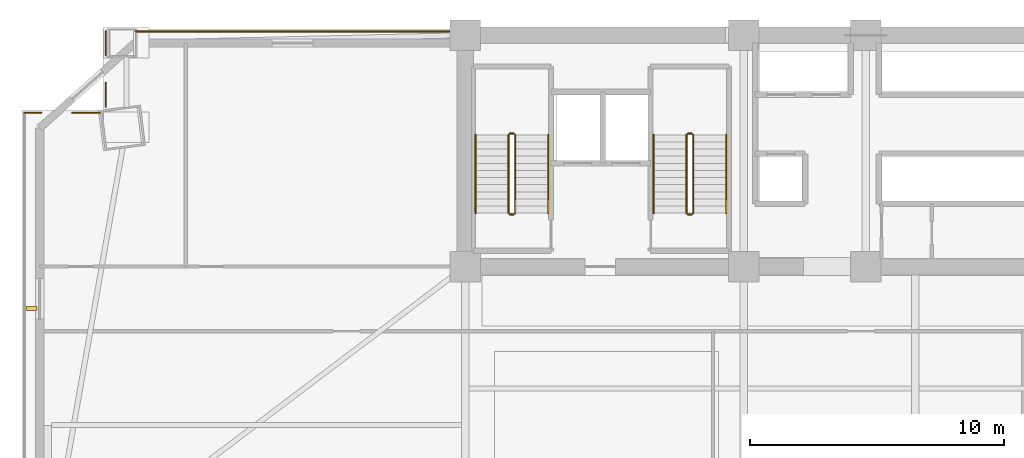
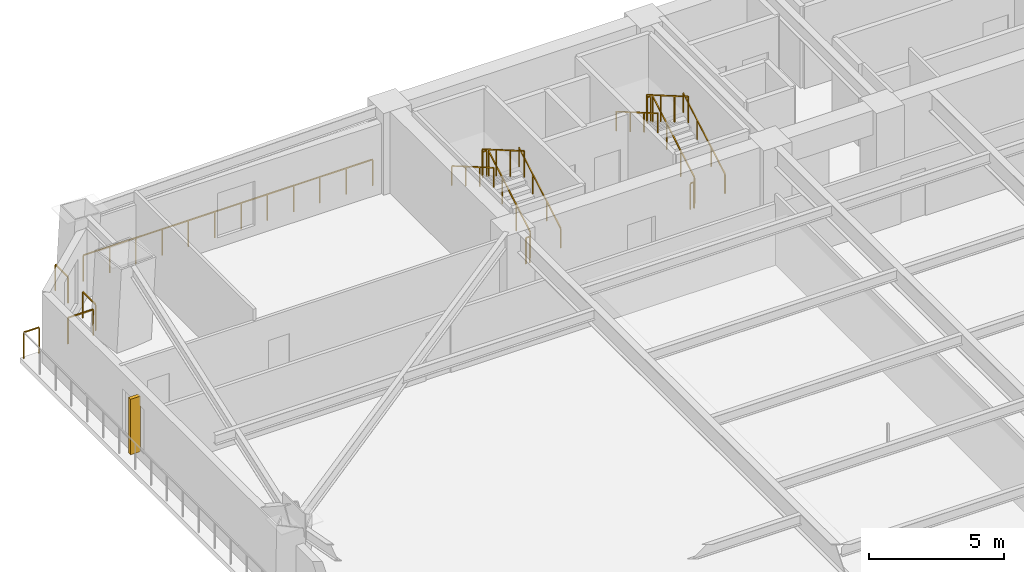
# One storey, part 15 of 17: 17 railings, 1 shading device.
"""IFC4 building model written with IfcOpenShell, lengths in metres."""

from ifc_helpers import new_model, si_unit, direction, frame, origin, origin_2d, place, context, subcontext, project, spatial, rectangle, extrude, source, transform, mapped, material, type_object, element, save


model = new_model("IFC4")

# Units and contexts
model_context = context("Model", 3, precision=1e-05, world=origin(), true_north=direction((0.0, 1.0)))
body_context = subcontext(model_context, "Body", "Model", "MODEL_VIEW")
ifc_project = project(units=[si_unit("LENGTHUNIT", "METRE"), si_unit("AREAUNIT", "SQUARE_METRE"), si_unit("VOLUMEUNIT", "CUBIC_METRE"), si_unit("PLANEANGLEUNIT", "RADIAN"), si_unit("MASSUNIT", "GRAM", prefix="KILO")], contexts=[model_context])

# Site, building, storey
site_placement = place(None, origin())
site = spatial("IfcSite", under=ifc_project, at=site_placement, CompositionType="ELEMENT")
building_placement = place(site_placement, origin())
building = spatial("IfcBuilding", under=site, at=building_placement, Name="Giltprow Tower", CompositionType="ELEMENT")
storey_placement = place(building_placement, frame((0.0, 0.0, 33.199951171875)))
storey = spatial("IfcBuildingStorey", under=building, at=storey_placement, Name="L08", CompositionType="ELEMENT", Elevation=33.199951171875)

# Railings
ifc_material = material(Name="Anodized bronze", Category="metal")
railing_type_1 = type_object("IfcRailingType", Name="RAIL-BALC-GUARD-1200", PredefinedType="BALUSTRADE", material=ifc_material)
railing_1_placement = place(storey_placement, frame((2.5, 43.5, 0.0)))
element("IfcRailing", 1, at=railing_1_placement, inside=storey, type_object=railing_type_1, Name="L08 Corner Apron Edge Balustrade 6", PredefinedType="BALUSTRADE", context=body_context, shape_type="SweptSolid", body=[
    extrude(rectangle(XDim=0.048095703125, YDim=0.048095703125, at=origin_2d()), frame((0.0, 0.0, 1.17578125), z_axis=(1.0, 0.0, 0.0), x_axis=(0.0, 1.0, 0.0)), (0.0, 0.0, 1.0), 0.656005859375),
    extrude(rectangle(XDim=0.0419921875, YDim=0.0419921875, at=origin_2d()), origin(), (0.0, 0.0, 1.0), 1.15185546875),
    extrude(rectangle(XDim=0.0419921875, YDim=0.0419921875, at=origin_2d()), frame((0.656005859375, 0.0, 0.0)), (0.0, 0.0, 1.0), 1.15185546875),
])
railing_2_placement = place(storey_placement, frame((4.386962890625, 43.5, 0.0)))
element("IfcRailing", 2, at=railing_2_placement, inside=storey, type_object=railing_type_1, Name="L08 Corner Apron Edge Balustrade 7", PredefinedType="BALUSTRADE", context=body_context, shape_type="SweptSolid", body=[
    extrude(rectangle(XDim=0.048095703125, YDim=0.048095703125, at=origin_2d()), frame((0.0, 0.0, 1.17578125), z_axis=(1.0, 0.0, 0.0), x_axis=(0.0, 1.0, 0.0)), (0.0, 0.0, 1.0), 1.078125),
    extrude(rectangle(XDim=0.0419921875, YDim=0.0419921875, at=origin_2d()), origin(), (0.0, 0.0, 1.0), 1.15185546875),
    extrude(rectangle(XDim=0.0419921875, YDim=0.0419921875, at=origin_2d()), frame((1.078125, 0.0, 0.0)), (0.0, 0.0, 1.0), 1.15185546875),
])
railing_3_placement = place(storey_placement, frame((5.699951171875, 43.735107421875, 0.0)))
element("IfcRailing", 3, at=railing_3_placement, inside=storey, type_object=railing_type_1, Name="L08 Corner Apron Edge Balustrade 8", PredefinedType="BALUSTRADE", context=body_context, shape_type="SweptSolid", body=[
    extrude(rectangle(XDim=0.048095703125, YDim=0.048095703125, at=origin_2d()), frame((0.0, 0.0, 1.17578125), z_axis=(0.0, 1.0, 0.0), x_axis=(-1.0, 0.0, 0.0)), (0.0, 0.0, 1.0), 0.93798828125),
    extrude(rectangle(XDim=0.0419921875, YDim=0.0419921875, at=origin_2d()), origin(), (0.0, 0.0, 1.0), 1.15185546875),
    extrude(rectangle(XDim=0.0419921875, YDim=0.0419921875, at=origin_2d()), frame((0.0, 0.93798828125, 0.0)), (0.0, 0.0, 1.0), 1.15185546875),
])
railing_4_placement = place(storey_placement, frame((5.699951171875, 45.77197265625, 0.0)))
element("IfcRailing", 4, at=railing_4_placement, inside=storey, type_object=railing_type_1, Name="L08 Corner Apron Edge Balustrade 9", PredefinedType="BALUSTRADE", context=body_context, shape_type="SweptSolid", body=[
    extrude(rectangle(XDim=0.048095703125, YDim=0.048095703125, at=origin_2d()), frame((0.0, 0.0, 1.17578125), z_axis=(0.0, 1.0, 0.0), x_axis=(-1.0, 0.0, 0.0)), (0.0, 0.0, 1.0), 0.927978515625),
    extrude(rectangle(XDim=0.0419921875, YDim=0.0419921875, at=origin_2d()), origin(), (0.0, 0.0, 1.0), 1.15185546875),
    extrude(rectangle(XDim=0.0419921875, YDim=0.0419921875, at=origin_2d()), frame((0.0, 0.927978515625, 0.0)), (0.0, 0.0, 1.0), 1.15185546875),
])
railing_5_placement = place(storey_placement, frame((6.885009765625, 46.699951171875, 0.0)))
element("IfcRailing", 5, at=railing_5_placement, inside=storey, type_object=railing_type_1, Name="L08 Corner Apron Edge Balustrade 10", PredefinedType="BALUSTRADE", context=body_context, shape_type="SweptSolid", body=[
    extrude(rectangle(XDim=0.048095703125, YDim=0.048095703125, at=origin_2d()), frame((0.0, 0.0, 1.17578125), z_axis=(1.0, 0.0, 0.0), x_axis=(0.0, 1.0, 0.0)), (0.0, 0.0, 1.0), 12.330078125),
    extrude(rectangle(XDim=0.0419921875, YDim=0.0419921875, at=origin_2d()), origin(), (0.0, 0.0, 1.0), 1.15185546875),
    extrude(rectangle(XDim=0.0419921875, YDim=0.0419921875, at=origin_2d()), frame((1.120849609375, 0.0, 0.0)), (0.0, 0.0, 1.0), 1.15185546875),
    extrude(rectangle(XDim=0.0419921875, YDim=0.0419921875, at=origin_2d()), frame((2.241943359375, 0.0, 0.0)), (0.0, 0.0, 1.0), 1.15185546875),
    extrude(rectangle(XDim=0.0419921875, YDim=0.0419921875, at=origin_2d()), frame((3.36279296875, 0.0, 0.0)), (0.0, 0.0, 1.0), 1.15185546875),
    extrude(rectangle(XDim=0.0419921875, YDim=0.0419921875, at=origin_2d()), frame((4.483642578125, 0.0, 0.0)), (0.0, 0.0, 1.0), 1.15185546875),
    extrude(rectangle(XDim=0.0419921875, YDim=0.0419921875, at=origin_2d()), frame((5.6044921875, 0.0, 0.0)), (0.0, 0.0, 1.0), 1.15185546875),
    extrude(rectangle(XDim=0.0419921875, YDim=0.0419921875, at=origin_2d()), frame((6.7255859375, 0.0, 0.0)), (0.0, 0.0, 1.0), 1.15185546875),
    extrude(rectangle(XDim=0.0419921875, YDim=0.0419921875, at=origin_2d()), frame((7.846435546875, 0.0, 0.0)), (0.0, 0.0, 1.0), 1.15185546875),
    extrude(rectangle(XDim=0.0419921875, YDim=0.0419921875, at=origin_2d()), frame((8.96728515625, 0.0, 0.0)), (0.0, 0.0, 1.0), 1.15185546875),
    extrude(rectangle(XDim=0.0419921875, YDim=0.0419921875, at=origin_2d()), frame((10.088134765625, 0.0, 0.0)), (0.0, 0.0, 1.0), 1.15185546875),
    extrude(rectangle(XDim=0.0419921875, YDim=0.0419921875, at=origin_2d()), frame((11.209228515625, 0.0, 0.0)), (0.0, 0.0, 1.0), 1.15185546875),
    extrude(rectangle(XDim=0.0419921875, YDim=0.0419921875, at=origin_2d()), frame((12.330078125, 0.0, 0.0)), (0.0, 0.0, 1.0), 1.15185546875),
])
railing_type_2 = type_object("IfcRailingType", Name="RAIL-STAIR-GUARD-1200", PredefinedType="GUARDRAIL", material=ifc_material)
railing_6_placement = place(storey_placement, frame((21.81005859375, 39.550048828125, 0.16259765625)))
element("IfcRailing", 6, at=railing_6_placement, inside=storey, type_object=railing_type_2, Name="L08 ST-1 stair guard 1", PredefinedType="GUARDRAIL", context=body_context, shape_type="SweptSolid", body=[
    extrude(rectangle(XDim=0.048095703125, YDim=0.048095703125, at=origin_2d()), frame((0.0, 0.0, 1.17578125), z_axis=(0.0, 0.864903211148, 0.501938676878), x_axis=(-1.0, 0.0, 0.0)), (0.0, 0.0, 1.0), 3.560791015625),
    extrude(rectangle(XDim=0.0419921875, YDim=0.0419921875, at=origin_2d()), origin(), (0.0, 0.0, 1.0), 1.15185546875),
    extrude(rectangle(XDim=0.0419921875, YDim=0.0419921875, at=origin_2d()), frame((0.0, 1.026611328125, 0.595703125)), (0.0, 0.0, 1.0), 1.15185546875),
    extrude(rectangle(XDim=0.0419921875, YDim=0.0419921875, at=origin_2d()), frame((0.0, 2.05322265625, 1.191650390625)), (0.0, 0.0, 1.0), 1.15185546875),
    extrude(rectangle(XDim=0.0419921875, YDim=0.0419921875, at=origin_2d()), frame((0.0, 3.079833984375, 1.787353515625)), (0.0, 0.0, 1.0), 1.15185546875),
])
railing_7_placement = place(storey_placement, frame((21.760009765625, 42.679931640625, 1.949951171875)))
element("IfcRailing", 7, at=railing_7_placement, inside=storey, type_object=railing_type_2, Name="L08 ST-1 stair guard 2", PredefinedType="GUARDRAIL", context=body_context, shape_type="SweptSolid", body=[
    extrude(rectangle(XDim=0.048095703125, YDim=0.048095703125, at=origin_2d()), frame((0.0, 0.0, 1.17578125), z_axis=(-1.0, 0.0, 0.0), x_axis=(0.0, -1.0, 0.0)), (0.0, 0.0, 1.0), 0.159912109375),
    extrude(rectangle(XDim=0.0419921875, YDim=0.0419921875, at=origin_2d()), origin(), (0.0, 0.0, 1.0), 1.15185546875),
    extrude(rectangle(XDim=0.0419921875, YDim=0.0419921875, at=origin_2d()), frame((-0.159912109375, 0.0, 0.0)), (0.0, 0.0, 1.0), 1.15185546875),
])
railing_8_placement = place(storey_placement, frame((21.550048828125, 42.6298828125, 2.112548828125)))
element("IfcRailing", 8, at=railing_8_placement, inside=storey, type_object=railing_type_2, Name="L08 ST-1 stair guard 3", PredefinedType="GUARDRAIL", context=body_context, shape_type="SweptSolid", body=[
    extrude(rectangle(XDim=0.048095703125, YDim=0.048095703125, at=origin_2d()), frame((0.0, 0.0, 1.17578125), z_axis=(0.0, -0.864873446163, 0.501989962173), x_axis=(1.0, 0.0, 0.0)), (0.0, 0.0, 1.0), 3.56103515625),
    extrude(rectangle(XDim=0.0419921875, YDim=0.0419921875, at=origin_2d()), origin(), (0.0, 0.0, 1.0), 1.15185546875),
    extrude(rectangle(XDim=0.0419921875, YDim=0.0419921875, at=origin_2d()), frame((0.0, -1.026611328125, 0.595947265625)), (0.0, 0.0, 1.0), 1.15185546875),
    extrude(rectangle(XDim=0.0419921875, YDim=0.0419921875, at=origin_2d()), frame((0.0, -2.05322265625, 1.191650390625)), (0.0, 0.0, 1.0), 1.15185546875),
    extrude(rectangle(XDim=0.0419921875, YDim=0.0419921875, at=origin_2d()), frame((0.0, -3.079833984375, 1.78759765625)), (0.0, 0.0, 1.0), 1.15185546875),
])
railing_9_placement = place(storey_placement, frame((21.760009765625, 39.5, 0.0)))
element("IfcRailing", 9, at=railing_9_placement, inside=storey, type_object=railing_type_2, Name="L08 ST-1 stair guard 4", PredefinedType="GUARDRAIL", context=body_context, shape_type="SweptSolid", body=[
    extrude(rectangle(XDim=0.048095703125, YDim=0.048095703125, at=origin_2d()), frame((0.0, 0.0, 1.17578125), z_axis=(-1.0, 0.0, 0.0), x_axis=(0.0, -1.0, 0.0)), (0.0, 0.0, 1.0), 0.159912109375),
    extrude(rectangle(XDim=0.0419921875, YDim=0.0419921875, at=origin_2d()), origin(), (0.0, 0.0, 1.0), 1.15185546875),
    extrude(rectangle(XDim=0.0419921875, YDim=0.0419921875, at=origin_2d()), frame((-0.159912109375, 0.0, 0.0)), (0.0, 0.0, 1.0), 1.15185546875),
])
railing_10_placement = place(storey_placement, frame((28.81005859375, 39.550048828125, 0.16259765625)))
element("IfcRailing", 10, at=railing_10_placement, inside=storey, type_object=railing_type_2, Name="L08 ST-2 stair guard 1", PredefinedType="GUARDRAIL", context=body_context, shape_type="SweptSolid", body=[
    extrude(rectangle(XDim=0.048095703125, YDim=0.048095703125, at=origin_2d()), frame((0.0, 0.0, 1.17578125), z_axis=(0.0, 0.864903211148, 0.501938676878), x_axis=(-1.0, 0.0, 0.0)), (0.0, 0.0, 1.0), 3.560791015625),
    extrude(rectangle(XDim=0.0419921875, YDim=0.0419921875, at=origin_2d()), origin(), (0.0, 0.0, 1.0), 1.15185546875),
    extrude(rectangle(XDim=0.0419921875, YDim=0.0419921875, at=origin_2d()), frame((0.0, 1.026611328125, 0.595703125)), (0.0, 0.0, 1.0), 1.15185546875),
    extrude(rectangle(XDim=0.0419921875, YDim=0.0419921875, at=origin_2d()), frame((0.0, 2.05322265625, 1.191650390625)), (0.0, 0.0, 1.0), 1.15185546875),
    extrude(rectangle(XDim=0.0419921875, YDim=0.0419921875, at=origin_2d()), frame((0.0, 3.079833984375, 1.787353515625)), (0.0, 0.0, 1.0), 1.15185546875),
])
railing_11_placement = place(storey_placement, frame((28.760009765625, 42.679931640625, 1.949951171875)))
element("IfcRailing", 11, at=railing_11_placement, inside=storey, type_object=railing_type_2, Name="L08 ST-2 stair guard 2", PredefinedType="GUARDRAIL", context=body_context, shape_type="SweptSolid", body=[
    extrude(rectangle(XDim=0.048095703125, YDim=0.048095703125, at=origin_2d()), frame((0.0, 0.0, 1.17578125), z_axis=(-1.0, 0.0, 0.0), x_axis=(0.0, -1.0, 0.0)), (0.0, 0.0, 1.0), 0.159912109375),
    extrude(rectangle(XDim=0.0419921875, YDim=0.0419921875, at=origin_2d()), origin(), (0.0, 0.0, 1.0), 1.15185546875),
    extrude(rectangle(XDim=0.0419921875, YDim=0.0419921875, at=origin_2d()), frame((-0.159912109375, 0.0, 0.0)), (0.0, 0.0, 1.0), 1.15185546875),
])
railing_12_placement = place(storey_placement, frame((28.550048828125, 42.6298828125, 2.112548828125)))
element("IfcRailing", 12, at=railing_12_placement, inside=storey, type_object=railing_type_2, Name="L08 ST-2 stair guard 3", PredefinedType="GUARDRAIL", context=body_context, shape_type="SweptSolid", body=[
    extrude(rectangle(XDim=0.048095703125, YDim=0.048095703125, at=origin_2d()), frame((0.0, 0.0, 1.17578125), z_axis=(0.0, -0.864873446163, 0.501989962173), x_axis=(1.0, 0.0, 0.0)), (0.0, 0.0, 1.0), 3.56103515625),
    extrude(rectangle(XDim=0.0419921875, YDim=0.0419921875, at=origin_2d()), origin(), (0.0, 0.0, 1.0), 1.15185546875),
    extrude(rectangle(XDim=0.0419921875, YDim=0.0419921875, at=origin_2d()), frame((0.0, -1.026611328125, 0.595947265625)), (0.0, 0.0, 1.0), 1.15185546875),
    extrude(rectangle(XDim=0.0419921875, YDim=0.0419921875, at=origin_2d()), frame((0.0, -2.05322265625, 1.191650390625)), (0.0, 0.0, 1.0), 1.15185546875),
    extrude(rectangle(XDim=0.0419921875, YDim=0.0419921875, at=origin_2d()), frame((0.0, -3.079833984375, 1.78759765625)), (0.0, 0.0, 1.0), 1.15185546875),
])
railing_13_placement = place(storey_placement, frame((28.760009765625, 39.5, 0.0)))
element("IfcRailing", 13, at=railing_13_placement, inside=storey, type_object=railing_type_2, Name="L08 ST-2 stair guard 4", PredefinedType="GUARDRAIL", context=body_context, shape_type="SweptSolid", body=[
    extrude(rectangle(XDim=0.048095703125, YDim=0.048095703125, at=origin_2d()), frame((0.0, 0.0, 1.17578125), z_axis=(-1.0, 0.0, 0.0), x_axis=(0.0, -1.0, 0.0)), (0.0, 0.0, 1.0), 0.159912109375),
    extrude(rectangle(XDim=0.0419921875, YDim=0.0419921875, at=origin_2d()), origin(), (0.0, 0.0, 1.0), 1.15185546875),
    extrude(rectangle(XDim=0.0419921875, YDim=0.0419921875, at=origin_2d()), frame((-0.159912109375, 0.0, 0.0)), (0.0, 0.0, 1.0), 1.15185546875),
])
railing_type_3 = type_object("IfcRailingType", Name="RAIL-STAIR-HAND-900", PredefinedType="HANDRAIL", material=ifc_material)
railing_14_placement = place(storey_placement, frame((23.110107421875, 39.550048828125, 0.16259765625)))
element("IfcRailing", 14, at=railing_14_placement, inside=storey, type_object=railing_type_3, Name="L08 ST-1 stair handrail 1", PredefinedType="HANDRAIL", context=body_context, shape_type="SweptSolid", body=[
    extrude(rectangle(XDim=0.048095703125, YDim=0.048095703125, at=origin_2d()), frame((0.0, 0.0, 0.8759765625), z_axis=(0.0, 0.864903211148, 0.501938676878), x_axis=(-1.0, 0.0, 0.0)), (0.0, 0.0, 1.0), 3.560791015625),
    extrude(rectangle(XDim=0.0419921875, YDim=0.0419921875, at=origin_2d()), origin(), (0.0, 0.0, 1.0), 0.851806640625),
    extrude(rectangle(XDim=0.0419921875, YDim=0.0419921875, at=origin_2d()), frame((0.0, 1.026611328125, 0.595703125)), (0.0, 0.0, 1.0), 0.851806640625),
    extrude(rectangle(XDim=0.0419921875, YDim=0.0419921875, at=origin_2d()), frame((0.0, 2.05322265625, 1.191650390625)), (0.0, 0.0, 1.0), 0.851806640625),
    extrude(rectangle(XDim=0.0419921875, YDim=0.0419921875, at=origin_2d()), frame((0.0, 3.079833984375, 1.787353515625)), (0.0, 0.0, 1.0), 0.851806640625),
])
railing_15_placement = place(storey_placement, frame((20.25, 42.6298828125, 2.112548828125)))
element("IfcRailing", 15, at=railing_15_placement, inside=storey, type_object=railing_type_3, Name="L08 ST-1 stair handrail 2", PredefinedType="HANDRAIL", context=body_context, shape_type="SweptSolid", body=[
    extrude(rectangle(XDim=0.048095703125, YDim=0.048095703125, at=origin_2d()), frame((0.0, 0.0, 0.8759765625), z_axis=(0.0, -0.864873446163, 0.501989962173), x_axis=(1.0, 0.0, 0.0)), (0.0, 0.0, 1.0), 3.56103515625),
    extrude(rectangle(XDim=0.0419921875, YDim=0.0419921875, at=origin_2d()), origin(), (0.0, 0.0, 1.0), 0.851806640625),
    extrude(rectangle(XDim=0.0419921875, YDim=0.0419921875, at=origin_2d()), frame((0.0, -1.026611328125, 0.595947265625)), (0.0, 0.0, 1.0), 0.851806640625),
    extrude(rectangle(XDim=0.0419921875, YDim=0.0419921875, at=origin_2d()), frame((0.0, -2.05322265625, 1.191650390625)), (0.0, 0.0, 1.0), 0.851806640625),
    extrude(rectangle(XDim=0.0419921875, YDim=0.0419921875, at=origin_2d()), frame((0.0, -3.079833984375, 1.78759765625)), (0.0, 0.0, 1.0), 0.851806640625),
])
railing_16_placement = place(storey_placement, frame((30.110107421875, 39.550048828125, 0.16259765625)))
element("IfcRailing", 16, at=railing_16_placement, inside=storey, type_object=railing_type_3, Name="L08 ST-2 stair handrail 1", PredefinedType="HANDRAIL", context=body_context, shape_type="SweptSolid", body=[
    extrude(rectangle(XDim=0.048095703125, YDim=0.048095703125, at=origin_2d()), frame((0.0, 0.0, 0.8759765625), z_axis=(0.0, 0.864903211148, 0.501938676878), x_axis=(-1.0, 0.0, 0.0)), (0.0, 0.0, 1.0), 3.560791015625),
    extrude(rectangle(XDim=0.0419921875, YDim=0.0419921875, at=origin_2d()), origin(), (0.0, 0.0, 1.0), 0.851806640625),
    extrude(rectangle(XDim=0.0419921875, YDim=0.0419921875, at=origin_2d()), frame((0.0, 1.026611328125, 0.595703125)), (0.0, 0.0, 1.0), 0.851806640625),
    extrude(rectangle(XDim=0.0419921875, YDim=0.0419921875, at=origin_2d()), frame((0.0, 2.05322265625, 1.191650390625)), (0.0, 0.0, 1.0), 0.851806640625),
    extrude(rectangle(XDim=0.0419921875, YDim=0.0419921875, at=origin_2d()), frame((0.0, 3.079833984375, 1.787353515625)), (0.0, 0.0, 1.0), 0.851806640625),
])
railing_17_placement = place(storey_placement, frame((27.25, 42.6298828125, 2.112548828125)))
element("IfcRailing", 17, at=railing_17_placement, inside=storey, type_object=railing_type_3, Name="L08 ST-2 stair handrail 2", PredefinedType="HANDRAIL", context=body_context, shape_type="SweptSolid", body=[
    extrude(rectangle(XDim=0.048095703125, YDim=0.048095703125, at=origin_2d()), frame((0.0, 0.0, 0.8759765625), z_axis=(0.0, -0.864873446163, 0.501989962173), x_axis=(1.0, 0.0, 0.0)), (0.0, 0.0, 1.0), 3.56103515625),
    extrude(rectangle(XDim=0.0419921875, YDim=0.0419921875, at=origin_2d()), origin(), (0.0, 0.0, 1.0), 0.851806640625),
    extrude(rectangle(XDim=0.0419921875, YDim=0.0419921875, at=origin_2d()), frame((0.0, -1.026611328125, 0.595947265625)), (0.0, 0.0, 1.0), 0.851806640625),
    extrude(rectangle(XDim=0.0419921875, YDim=0.0419921875, at=origin_2d()), frame((0.0, -2.05322265625, 1.191650390625)), (0.0, 0.0, 1.0), 0.851806640625),
    extrude(rectangle(XDim=0.0419921875, YDim=0.0419921875, at=origin_2d()), frame((0.0, -3.079833984375, 1.78759765625)), (0.0, 0.0, 1.0), 0.851806640625),
])

# Shading device
shading_device_type = type_object("IfcShadingDeviceType", Name="SHD-FIN-420", PredefinedType="USERDEFINED", material=ifc_material)
shared_shape = source(origin(), body_context, "Body", "SweptSolid", [
    extrude(rectangle(XDim=0.419921875, YDim=0.159912109375, at=origin_2d()), origin(), (0.0, 0.0, 1.0), 2.5),
])
shading_device_placement = place(storey_placement, frame((2.780029296875, 35.801025390625, 0.35009765625), z_axis=(0.0, 0.0, 1.0), x_axis=(1.0, 0.0, 0.0)))
element("IfcShadingDevice", 18, at=shading_device_placement, inside=storey, type_object=shading_device_type, Name="L08 W Bronze Vertical Fin 2-1", ObjectType="FIN", PredefinedType="USERDEFINED", context=body_context, shape_type="MappedRepresentation", body=[
    mapped(shared_shape, transform((0.0, 0.0, 0.0), x_axis=(1.0, 0.0, 0.0), y_axis=(0.0, 1.0, 0.0), z_axis=(0.0, 0.0, 1.0), scale=1.0)),
])

save(model, "model.ifc")
